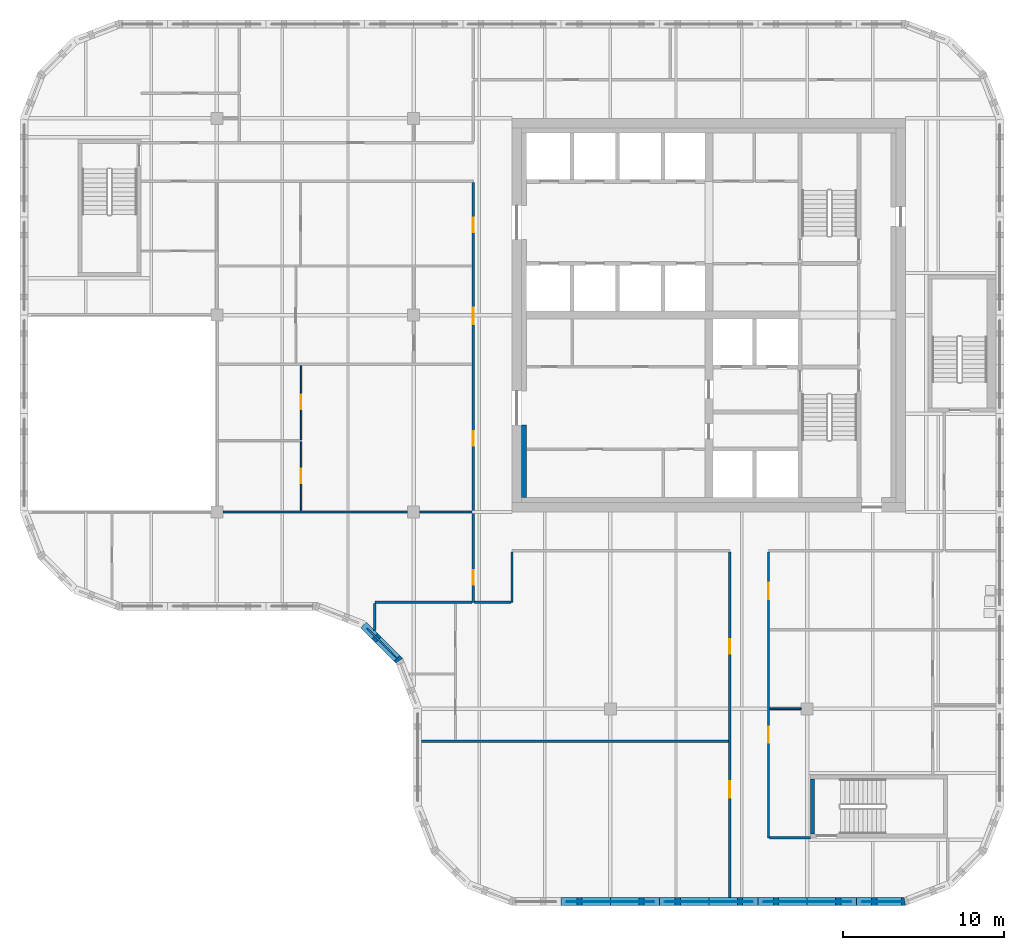
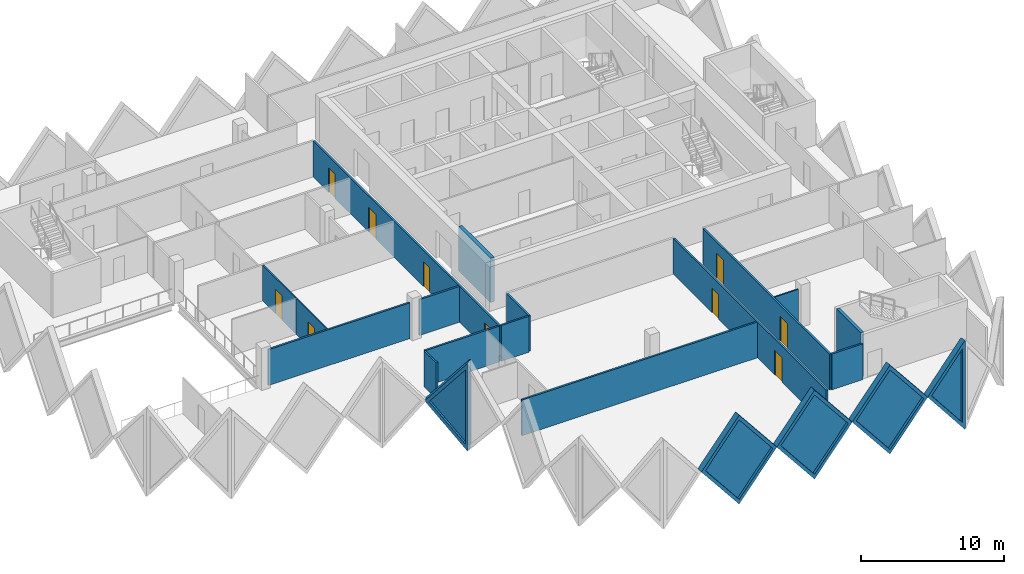
# One storey, part 4 of 12: 21 walls, 10 doors, 5 plates, 15 openings.
"""IFC4 building model written with IfcOpenShell, lengths in metres."""

from ifc_helpers import new_model, si_unit, direction, frame, frame_2d, origin, place, context, subcontext, project, spatial, polyline, rectangle, outline, extrude, faceted_brep, source, transform, mapped, material, layer, layer_set, type_object, element, fill, save


model = new_model("IFC4")

# Units and contexts
model_context = context("Model", 3, precision=1e-05, world=origin(), true_north=direction((0.0, 1.0)))
body_context = subcontext(model_context, "Body", "Model", "MODEL_VIEW")
ifc_project = project(units=[si_unit("LENGTHUNIT", "METRE"), si_unit("AREAUNIT", "SQUARE_METRE"), si_unit("VOLUMEUNIT", "CUBIC_METRE"), si_unit("PLANEANGLEUNIT", "RADIAN"), si_unit("MASSUNIT", "GRAM", prefix="KILO")], contexts=[model_context])

# Site, building, storey
site_placement = place(None, origin())
site = spatial("IfcSite", under=ifc_project, at=site_placement, CompositionType="ELEMENT")
building_placement = place(site_placement, origin())
building = spatial("IfcBuilding", under=site, at=building_placement, Name="Tessera Gate Towers", CompositionType="ELEMENT")
storey_placement = place(building_placement, frame((0.0, 0.0, 178.199951171875)))
storey = spatial("IfcBuildingStorey", under=building, at=storey_placement, Name="L44", CompositionType="ELEMENT", Elevation=178.199951171875)

# Walls
ifc_material_1 = material(Name="Concrete C40/50", Category="concrete")
ifc_layer_1 = layer(ifc_material_1, 0.25)
ifc_layer_set_1 = layer_set([ifc_layer_1], Name="CORE ENCLOSURE WALL 250")
wall_type_1 = type_object("IfcWallType", Name="CORE ENCLOSURE WALL 250", PredefinedType="SOLIDWALL", material=ifc_layer_set_1)
wall_1_placement = place(storey_placement, frame((49.125, 4.449951171875, 0.0), z_axis=(0.0, 0.0, 1.0), x_axis=(0.0, 1.0, 0.0)))
element("IfcWall", 1, at=wall_1_placement, inside=storey, type_object=wall_type_1, Name="L44 ST4 enclosure wall", PredefinedType="SOLIDWALL", context=body_context, shape_type="SweptSolid", body=[
    extrude(rectangle(XDim=3.400146484375, YDim=0.25, at=frame_2d((1.7001953125, 0.0))), origin(), (0.0, 0.0, 1.0), 3.800048828125),
])
ifc_material_2 = material(Name="Concrete C50/60", Category="concrete")
ifc_layer_2 = layer(ifc_material_2, 0.300048828125)
ifc_layer_set_2 = layer_set([ifc_layer_2], Name="CORE WALL THICKENING 300")
wall_type_2 = type_object("IfcWallType", Name="CORE WALL THICKENING 300", PredefinedType="SOLIDWALL", material=ifc_layer_set_2)
wall_2_placement = place(storey_placement, frame((31.25, 25.300048828125, 0.0), z_axis=(0.0, 0.0, 1.0), x_axis=(0.0, 1.0, 0.0)))
element("IfcWall", 2, at=wall_2_placement, inside=storey, type_object=wall_type_2, Name="Core wall thickening W L44", PredefinedType="SOLIDWALL", context=body_context, shape_type="SweptSolid", body=[
    extrude(rectangle(XDim=4.5, YDim=0.300048828125, at=frame_2d((2.25, 0.0))), origin(), (0.0, 0.0, 1.0), 3.800048828125),
])

# Wall, openings, doors
ifc_material_3 = material(Name="Gypsum board on steel studs, mineral wool", Category="steel")
ifc_layer_3 = layer(ifc_material_3, 0.14990234375)
ifc_layer_set_3 = layer_set([ifc_layer_3], Name="CORRIDOR WALL 150")
wall_type_3 = type_object("IfcWallType", Name="CORRIDOR WALL 150", PredefinedType="PARTITIONING", material=ifc_layer_set_3)
wall_3_placement = place(storey_placement, frame((44.0, 0.5, 0.0), z_axis=(0.0, 0.0, 1.0), x_axis=(0.0, 1.0, 0.0)))
wall_3 = element("IfcWall", 3, at=wall_3_placement, inside=storey, type_object=wall_type_3, Name="T1-L44-PW-001", PredefinedType="PARTITIONING", context=body_context, shape_type="SweptSolid", body=[
    extrude(rectangle(XDim=21.424072265625, YDim=0.14990234375, at=frame_2d((10.7119140625, 0.0))), origin(), (0.0, 0.0, 1.0), 3.067138671875),
])
shared_shape_1 = source(origin(), body_context, "Body", "SweptSolid", [
    extrude(rectangle(XDim=1.0, YDim=2.10009765625, at=frame_2d((0.5, 1.050048828125))), frame((0.0, 0.0849609375, 0.0), z_axis=(0.0, -1.0, 0.0), x_axis=(1.0, 0.0, 0.0)), (0.0, 0.0, 1.0), 0.169921875),
])
opening_1_placement = place(wall_3_placement, frame((6.199951171875, 0.0, 0.0)))
opening_1 = element("IfcOpeningElement", 4, at=opening_1_placement, cuts=wall_3, Name="Opening D2100FD60-A16-02", PredefinedType="OPENING", context=body_context, shape_type="MappedRepresentation", body=[
    mapped(shared_shape_1, transform((0.0, 0.0, 0.0), scale=1.0)),
])
shared_shape_2 = source(origin(), body_context, "Body", "SweptSolid", [
    extrude(rectangle(XDim=0.89990234375, YDim=2.10009765625, at=frame_2d((0.449951171875, 1.050048828125))), frame((0.0, 0.0849609375, 0.0), z_axis=(0.0, -1.0, 0.0), x_axis=(1.0, 0.0, 0.0)), (0.0, 0.0, 1.0), 0.169921875),
])
opening_2_placement = place(wall_3_placement, frame((15.10009765625, 0.0, 0.0)))
opening_2 = element("IfcOpeningElement", 5, at=opening_2_placement, cuts=wall_3, Name="Opening D890FD60-A16-06", PredefinedType="OPENING", context=body_context, shape_type="MappedRepresentation", body=[
    mapped(shared_shape_2, transform((0.0, 0.0, 0.0), scale=1.0)),
])
ifc_material_4 = material(Name="Timber door leaf in steel frame", Category="steel")
door_type_1 = type_object("IfcDoorType", Name="CORRIDOR DOOR 900 FD60", OperationType="NOTDEFINED", PredefinedType="DOOR", material=ifc_material_4)
shared_shape_3 = source(origin(), body_context, "Body", "SweptSolid", [
    extrude(rectangle(XDim=0.89990234375, YDim=2.10009765625, at=frame_2d((0.449951171875, 1.050048828125))), frame((0.0, 0.02490234375, 0.0), z_axis=(0.0, -1.0, 0.0), x_axis=(1.0, 0.0, 0.0)), (0.0, 0.0, 1.0), 0.050048828125),
])
door_1_placement = place(opening_2_placement, origin())
door_1 = element("IfcDoor", 6, at=door_1_placement, inside=storey, type_object=door_type_1, Name="T1-L44-PD-023", OperationType="SINGLE_SWING_LEFT", OverallHeight=2.10009765625, OverallWidth=0.89990234375, PredefinedType="DOOR", context=body_context, shape_type="MappedRepresentation", body=[
    mapped(shared_shape_3, transform((0.0, 0.0, 0.0), scale=1.0)),
])
fill(opening_2, door_1)
ifc_material_5 = material(Name="Timber door leaf in steel frame", Category="steel")
door_type_2 = type_object("IfcDoorType", Name="TENANCY ENTRANCE DOOR 1000 FD60", OperationType="NOTDEFINED", PredefinedType="DOOR", material=ifc_material_5)
shared_shape_4 = source(origin(), body_context, "Body", "SweptSolid", [
    extrude(rectangle(XDim=1.0, YDim=2.10009765625, at=frame_2d((0.5, 1.050048828125))), frame((0.0, 0.02490234375, 0.0), z_axis=(0.0, -1.0, 0.0), x_axis=(1.0, 0.0, 0.0)), (0.0, 0.0, 1.0), 0.050048828125),
])
door_2_placement = place(opening_1_placement, origin())
door_2 = element("IfcDoor", 7, at=door_2_placement, inside=storey, type_object=door_type_2, Name="T1-L44-PD-017", OperationType="SINGLE_SWING_LEFT", OverallHeight=2.10009765625, OverallWidth=1.0, PredefinedType="DOOR", context=body_context, shape_type="MappedRepresentation", body=[
    mapped(shared_shape_4, transform((0.0, 0.0, 0.0), scale=1.0)),
])
fill(opening_1, door_2)

wall_4_placement = place(storey_placement, frame((46.39990234375, 21.924072265625, 0.0), z_axis=(0.0, 0.0, 1.0), x_axis=(0.0, -1.0, 0.0)))
wall_4 = element("IfcWall", 8, at=wall_4_placement, inside=storey, type_object=wall_type_3, Name="T1-L44-PW-003", PredefinedType="PARTITIONING", context=body_context, shape_type="SweptSolid", body=[
    extrude(rectangle(XDim=17.72412109375, YDim=0.14990234375, at=frame_2d((8.862060546875, 0.0))), origin(), (0.0, 0.0, 1.0), 3.067138671875),
])
opening_3_placement = place(wall_4_placement, frame((1.923095703125, 0.0, 0.0)))
opening_3 = element("IfcOpeningElement", 9, at=opening_3_placement, cuts=wall_4, Name="Opening D2100FD60-A16-01", PredefinedType="OPENING", context=body_context, shape_type="MappedRepresentation", body=[
    mapped(shared_shape_1, transform((0.0, 0.0, 0.0), scale=1.0)),
])
opening_4_placement = place(wall_4_placement, frame((10.823974609375, 0.0, 0.0)))
opening_4 = element("IfcOpeningElement", 10, at=opening_4_placement, cuts=wall_4, Name="Opening D2100FD60-A16-05", PredefinedType="OPENING", context=body_context, shape_type="MappedRepresentation", body=[
    mapped(shared_shape_1, transform((0.0, 0.0, 0.0), scale=1.0)),
])
door_3_placement = place(opening_3_placement, origin())
door_3 = element("IfcDoor", 11, at=door_3_placement, inside=storey, type_object=door_type_2, Name="T1-L44-PD-010", OperationType="SINGLE_SWING_RIGHT", OverallHeight=2.10009765625, OverallWidth=1.0, PredefinedType="DOOR", context=body_context, shape_type="MappedRepresentation", body=[
    mapped(shared_shape_4, transform((0.0, 0.0, 0.0), scale=1.0)),
])
fill(opening_3, door_3)
door_4_placement = place(opening_4_placement, origin())
door_4 = element("IfcDoor", 12, at=door_4_placement, inside=storey, type_object=door_type_2, Name="T1-L44-PD-025", OperationType="SINGLE_SWING_RIGHT", OverallHeight=2.10009765625, OverallWidth=1.0, PredefinedType="DOOR", context=body_context, shape_type="MappedRepresentation", body=[
    mapped(shared_shape_4, transform((0.0, 0.0, 0.0), scale=1.0)),
])
fill(opening_4, door_4)

# Wall
wall_5_placement = place(storey_placement, frame((46.47607421875, 4.199951171875, 0.0), z_axis=(0.0, 0.0, 1.0), x_axis=(1.0, 0.0, 0.0)))
element("IfcWall", 13, at=wall_5_placement, inside=storey, type_object=wall_type_3, Name="T1-L44-PW-004", PredefinedType="PARTITIONING", context=body_context, shape_type="SweptSolid", body=[
    extrude(rectangle(XDim=2.52392578125, YDim=0.14990234375, at=frame_2d((1.261962890625, 0.0))), origin(), (0.0, 0.0, 1.0), 3.067138671875),
])

# Wall, openings, doors
wall_6_placement = place(storey_placement, frame((28.10009765625, 18.800048828125, 0.0), z_axis=(0.0, 0.0, 1.0), x_axis=(0.0, 1.0, 0.0)))
wall_6 = element("IfcWall", 14, at=wall_6_placement, inside=storey, type_object=wall_type_3, Name="T1-L44-PW-016", PredefinedType="PARTITIONING", context=body_context, shape_type="SweptSolid", body=[
    extrude(rectangle(XDim=26.02392578125, YDim=0.14990234375, at=frame_2d((13.011962890625, 0.0))), origin(), (0.0, 0.0, 1.0), 3.067138671875),
])
opening_5_placement = place(wall_6_placement, frame((1.10009765625, 0.0, 0.0)))
opening_5 = element("IfcOpeningElement", 15, at=opening_5_placement, cuts=wall_6, Name="Opening D890FD60-A16-01", PredefinedType="OPENING", context=body_context, shape_type="MappedRepresentation", body=[
    mapped(shared_shape_2, transform((0.0, 0.0, 0.0), scale=1.0)),
])
opening_6_placement = place(wall_6_placement, frame((22.950927734375, 0.0, 0.0)))
opening_6 = element("IfcOpeningElement", 16, at=opening_6_placement, cuts=wall_6, Name="Opening D890FD60-A16-03", PredefinedType="OPENING", context=body_context, shape_type="MappedRepresentation", body=[
    mapped(shared_shape_2, transform((0.0, 0.0, 0.0), scale=1.0)),
])
opening_7_placement = place(wall_6_placement, frame((17.2509765625, 0.0, 0.0)))
opening_7 = element("IfcOpeningElement", 17, at=opening_7_placement, cuts=wall_6, Name="Opening D2100FD60-A16-04", PredefinedType="OPENING", context=body_context, shape_type="MappedRepresentation", body=[
    mapped(shared_shape_1, transform((0.0, 0.0, 0.0), scale=1.0)),
])
opening_8_placement = place(wall_6_placement, frame((9.699951171875, 0.0, 0.0)))
opening_8 = element("IfcOpeningElement", 18, at=opening_8_placement, cuts=wall_6, Name="Opening D890FD60-A16-05", PredefinedType="OPENING", context=body_context, shape_type="MappedRepresentation", body=[
    mapped(shared_shape_2, transform((0.0, 0.0, 0.0), scale=1.0)),
])
door_5_placement = place(opening_5_placement, origin())
door_5 = element("IfcDoor", 19, at=door_5_placement, inside=storey, type_object=door_type_1, Name="T1-L44-PD-001", OperationType="SINGLE_SWING_LEFT", OverallHeight=2.10009765625, OverallWidth=0.89990234375, PredefinedType="DOOR", context=body_context, shape_type="MappedRepresentation", body=[
    mapped(shared_shape_3, transform((0.0, 0.0, 0.0), scale=1.0)),
])
fill(opening_5, door_5)
door_6_placement = place(opening_6_placement, origin())
door_6 = element("IfcDoor", 20, at=door_6_placement, inside=storey, type_object=door_type_1, Name="T1-L44-PD-013", OperationType="SINGLE_SWING_LEFT", OverallHeight=2.10009765625, OverallWidth=0.89990234375, PredefinedType="DOOR", context=body_context, shape_type="MappedRepresentation", body=[
    mapped(shared_shape_3, transform((0.0, 0.0, 0.0), scale=1.0)),
])
fill(opening_6, door_6)
door_7_placement = place(opening_8_placement, origin())
door_7 = element("IfcDoor", 21, at=door_7_placement, inside=storey, type_object=door_type_1, Name="T1-L44-PD-022", OperationType="SINGLE_SWING_LEFT", OverallHeight=2.10009765625, OverallWidth=0.89990234375, PredefinedType="DOOR", context=body_context, shape_type="MappedRepresentation", body=[
    mapped(shared_shape_3, transform((0.0, 0.0, 0.0), scale=1.0)),
])
fill(opening_8, door_7)
door_8_placement = place(opening_7_placement, origin())
door_8 = element("IfcDoor", 22, at=door_8_placement, inside=storey, type_object=door_type_2, Name="T1-L44-PD-019", OperationType="SINGLE_SWING_LEFT", OverallHeight=2.10009765625, OverallWidth=1.0, PredefinedType="DOOR", context=body_context, shape_type="MappedRepresentation", body=[
    mapped(shared_shape_4, transform((0.0, 0.0, 0.0), scale=1.0)),
])
fill(opening_7, door_8)

# Walls
wall_7_placement = place(storey_placement, frame((28.176025390625, 18.800048828125, 0.0), z_axis=(0.0, 0.0, 1.0), x_axis=(1.0, 0.0, 0.0)))
element("IfcWall", 23, at=wall_7_placement, inside=storey, type_object=wall_type_3, Name="T1-L44-PW-017", PredefinedType="PARTITIONING", context=body_context, shape_type="SweptSolid", body=[
    extrude(rectangle(XDim=2.248046875, YDim=0.14990234375, at=frame_2d((1.1240234375, 0.0))), origin(), (0.0, 0.0, 1.0), 3.067138671875),
])
wall_8_placement = place(storey_placement, frame((30.5, 18.800048828125, 0.0), z_axis=(0.0, 0.0, 1.0), x_axis=(0.0, 1.0, 0.0)))
element("IfcWall", 24, at=wall_8_placement, inside=storey, type_object=wall_type_3, Name="T1-L44-PW-018", PredefinedType="PARTITIONING", context=body_context, shape_type="SweptSolid", body=[
    extrude(rectangle(XDim=3.1240234375, YDim=0.14990234375, at=frame_2d((1.56201171875, 0.0))), origin(), (0.0, 0.0, 1.0), 3.067138671875),
])
ifc_material_6 = material(Name="Gypsum board on steel studs", Category="steel")
ifc_layer_4 = layer(ifc_material_6, 0.10009765625)
ifc_layer_set_4 = layer_set([ifc_layer_4], Name="PARTITION 100")
wall_type_4 = type_object("IfcWallType", Name="PARTITION 100", PredefinedType="PARTITIONING", material=ifc_layer_set_4)
wall_9_placement = place(storey_placement, frame((48.425048828125, 12.199951171875, 0.0), z_axis=(0.0, 0.0, 1.0), x_axis=(-1.0, 0.0, 0.0)))
element("IfcWall", 25, at=wall_9_placement, inside=storey, type_object=wall_type_4, Name="T1-L44-PW-008", PredefinedType="PARTITIONING", context=body_context, shape_type="SweptSolid", body=[
    extrude(rectangle(XDim=1.949951171875, YDim=0.10009765625, at=frame_2d((0.97509765625, 0.0))), origin(), (0.0, 0.0, 1.0), 3.067138671875),
])

# Wall, opening, door
wall_10_placement = place(storey_placement, frame((17.425048828125, 24.47607421875, 0.0), z_axis=(0.0, 0.0, 1.0), x_axis=(0.0, 1.0, 0.0)))
wall_10 = element("IfcWall", 26, at=wall_10_placement, inside=storey, type_object=wall_type_4, Name="T1-L44-PW-026", PredefinedType="PARTITIONING", context=body_context, shape_type="SweptSolid", body=[
    extrude(rectangle(XDim=4.293212890625, YDim=0.10009765625, at=frame_2d((2.146484375, 0.0))), origin(), (0.0, 0.0, 1.0), 3.067138671875),
])
shared_shape_5 = source(origin(), body_context, "Body", "SweptSolid", [
    extrude(rectangle(XDim=0.89990234375, YDim=2.10009765625, at=frame_2d((0.449951171875, 1.050048828125))), frame((0.0, 0.06005859375, 0.0), z_axis=(0.0, -1.0, 0.0), x_axis=(1.0, 0.0, 0.0)), (0.0, 0.0, 1.0), 0.1201171875),
])
opening_9_placement = place(wall_10_placement, frame((1.699951171875, 0.0, 0.0)))
opening_9 = element("IfcOpeningElement", 27, at=opening_9_placement, cuts=wall_10, Name="Opening D190-A16-02", PredefinedType="OPENING", context=body_context, shape_type="MappedRepresentation", body=[
    mapped(shared_shape_5, transform((0.0, 0.0, 0.0), scale=1.0)),
])
ifc_material_7 = material(Name="Timber door leaf in steel frame", Category="steel")
door_type_3 = type_object("IfcDoorType", Name="INTERNAL DOOR 900 NOT RATED", OperationType="NOTDEFINED", PredefinedType="DOOR", material=ifc_material_7)
door_9_placement = place(opening_9_placement, origin())
door_9 = element("IfcDoor", 28, at=door_9_placement, inside=storey, type_object=door_type_3, Name="T1-L44-PD-003", OperationType="SINGLE_SWING_LEFT", OverallHeight=2.10009765625, OverallWidth=0.89990234375, PredefinedType="DOOR", context=body_context, shape_type="MappedRepresentation", body=[
    mapped(shared_shape_3, transform((0.0, 0.0, 0.0), scale=1.0)),
])
fill(opening_9, door_9)

wall_11_placement = place(storey_placement, frame((17.425048828125, 28.871337890625, 0.0), z_axis=(0.0, 0.0, 1.0), x_axis=(0.0, 1.0, 0.0)))
wall_11 = element("IfcWall", 29, at=wall_11_placement, inside=storey, type_object=wall_type_4, Name="T1-L44-PW-028", PredefinedType="PARTITIONING", context=body_context, shape_type="SweptSolid", body=[
    extrude(rectangle(XDim=4.602783203125, YDim=0.10009765625, at=frame_2d((2.30126953125, 0.0))), origin(), (0.0, 0.0, 1.0), 3.067138671875),
])
opening_10_placement = place(wall_11_placement, frame((1.89990234375, 0.0, 0.0)))
opening_10 = element("IfcOpeningElement", 30, at=opening_10_placement, cuts=wall_11, Name="Opening D190-A16-06", PredefinedType="OPENING", context=body_context, shape_type="MappedRepresentation", body=[
    mapped(shared_shape_5, transform((0.0, 0.0, 0.0), scale=1.0)),
])
door_10_placement = place(opening_10_placement, origin())
door_10 = element("IfcDoor", 31, at=door_10_placement, inside=storey, type_object=door_type_3, Name="T1-L44-PD-007", OperationType="SINGLE_SWING_LEFT", OverallHeight=2.10009765625, OverallWidth=0.89990234375, PredefinedType="DOOR", context=body_context, shape_type="MappedRepresentation", body=[
    mapped(shared_shape_3, transform((0.0, 0.0, 0.0), scale=1.0)),
])
fill(opening_10, door_10)

# Walls
ifc_material_8 = material(Name="Gypsum board on steel studs, mineral wool", Category="steel")
ifc_layer_5 = layer(ifc_material_8, 0.14990234375)
ifc_layer_set_5 = layer_set([ifc_layer_5], Name="TENANCY WALL 150")
wall_type_5 = type_object("IfcWallType", Name="TENANCY WALL 150", PredefinedType="PARTITIONING", material=ifc_layer_set_5)
wall_12_placement = place(storey_placement, frame((24.89990234375, 10.199951171875, 0.0), z_axis=(0.0, 0.0, 1.0), x_axis=(1.0, 0.0, 0.0)))
element("IfcWall", 32, at=wall_12_placement, inside=storey, type_object=wall_type_5, Name="T1-L44-PW-006", PredefinedType="PARTITIONING", context=body_context, shape_type="SweptSolid", body=[
    extrude(rectangle(XDim=19.024169921875, YDim=0.14990234375, at=frame_2d((9.51220703125, 0.0))), origin(), (0.0, 0.0, 1.0), 3.067138671875),
])
wall_13_placement = place(storey_placement, frame((22.0, 17.054931640625, 0.0), z_axis=(0.0, 0.0, 1.0), x_axis=(0.0, 1.0, 0.0)))
element("IfcWall", 33, at=wall_13_placement, inside=storey, type_object=wall_type_5, Name="T1-L44-PW-011", PredefinedType="PARTITIONING", context=body_context, shape_type="SweptSolid", body=[
    extrude(rectangle(XDim=1.669189453125, YDim=0.14990234375, at=frame_2d((0.83447265625, 0.0))), origin(), (0.0, 0.0, 1.0), 3.067138671875),
])
wall_14_placement = place(storey_placement, frame((22.0, 18.800048828125, 0.0), z_axis=(0.0, 0.0, 1.0), x_axis=(1.0, 0.0, 0.0)))
element("IfcWall", 34, at=wall_14_placement, inside=storey, type_object=wall_type_5, Name="T1-L44-PW-015", PredefinedType="PARTITIONING", context=body_context, shape_type="SweptSolid", body=[
    extrude(rectangle(XDim=6.02392578125, YDim=0.14990234375, at=frame_2d((3.011962890625, 0.0))), origin(), (0.0, 0.0, 1.0), 3.067138671875),
])
wall_15_placement = place(storey_placement, frame((12.575927734375, 24.39990234375, 0.0), z_axis=(0.0, 0.0, 1.0), x_axis=(1.0, 0.0, 0.0)))
element("IfcWall", 35, at=wall_15_placement, inside=storey, type_object=wall_type_5, Name="T1-L44-PW-024", PredefinedType="PARTITIONING", context=body_context, shape_type="SweptSolid", body=[
    extrude(rectangle(XDim=11.447998046875, YDim=0.14990234375, at=frame_2d((5.72412109375, 0.0))), origin(), (0.0, 0.0, 1.0), 3.067138671875),
])
wall_16_placement = place(storey_placement, frame((24.77587890625, 24.39990234375, 0.0), z_axis=(0.0, 0.0, 1.0), x_axis=(1.0, 0.0, 0.0)))
element("IfcWall", 36, at=wall_16_placement, inside=storey, type_object=wall_type_5, Name="T1-L44-PW-025", PredefinedType="PARTITIONING", context=body_context, shape_type="SweptSolid", body=[
    extrude(rectangle(XDim=3.248046875, YDim=0.14990234375, at=frame_2d((1.6240234375, 0.0))), origin(), (0.0, 0.0, 1.0), 3.067138671875),
])

# Wall, opening, plate
ifc_material_9 = material(Name="Precast concrete C60/75 white", Category="concrete")
ifc_layer_6 = layer(ifc_material_9, 0.5)
ifc_layer_set_6 = layer_set([ifc_layer_6], Name="TS1 tessera")
wall_type_6 = type_object("IfcWallType", Name="TS1 tessera", PredefinedType="SOLIDWALL", material=ifc_layer_set_6)
shared_shape_6 = source(origin(), body_context, "Body", "Brep", [
    faceted_brep([(3.050048828125, -0.25, 0.0), (6.099853515625, -0.25, 3.7998046875), (6.099853515625, -0.25, 3.80029296875), (3.050048828125, -0.25, 7.60009765625), (0.0, -0.25, 3.800048828125), (0.0, 0.25, 3.800048828125), (3.050048828125, 0.25, 7.60009765625), (6.099853515625, 0.25, 3.80029296875), (6.099853515625, 0.25, 3.7998046875), (3.050048828125, 0.25, 0.0)], [[[0, 1, 2, 3, 4]], [[5, 6, 7, 8, 9]], [[9, 8, 1, 0]], [[7, 6, 3, 2]], [[6, 5, 4, 3]], [[5, 9, 0, 4]], [[1, 8, 7, 2]]]),
])
wall_17_placement = place(storey_placement, frame((33.550048828125, 0.25, -3.800048828125), z_axis=(0.0, 0.0, 1.0), x_axis=(1.0, 0.0, 0.0)))
wall_17 = element("IfcWall", 37, at=wall_17_placement, inside=storey, type_object=wall_type_6, Name="Precast tessera T1 TS1-0759", PredefinedType="SOLIDWALL", context=body_context, shape_type="MappedRepresentation", body=[
    mapped(shared_shape_6, transform((0.0, 0.0, 0.0), scale=1.0)),
])
shared_shape_7 = source(origin(), body_context, "Body", "SweptSolid", [
    extrude(outline(polyline([(3.050048828125, 0.3994140625), (5.779541015625, 3.800048828125), (3.050048828125, 7.20068359375), (0.320556640625, 3.800048828125), (3.050048828125, 0.3994140625)])), frame((0.0, 0.260009765625, 0.0), z_axis=(0.0, -1.0, 0.0), x_axis=(1.0, 0.0, 0.0)), (0.0, 0.0, 1.0), 0.52001953125),
])
opening_11_placement = place(wall_17_placement, origin())
opening_11 = element("IfcOpeningElement", 38, at=opening_11_placement, cuts=wall_17, Name="Opening T1-PL2-1553", PredefinedType="OPENING", context=body_context, shape_type="MappedRepresentation", body=[
    mapped(shared_shape_7, transform((0.0, 0.0, 0.0), scale=1.0)),
])
ifc_material_10 = material(Name="Low-e laminated glass", Category="glass")
ifc_layer_7 = layer(ifc_material_10, 0.06005859375)
ifc_layer_set_7 = layer_set([ifc_layer_7], Name="PL2 rhombic pane")
plate_type = type_object("IfcPlateType", Name="PL2 rhombic pane", PredefinedType="SHEET", material=ifc_layer_set_7)
shared_shape_8 = source(origin(), body_context, "Body", "SweptSolid", [
    extrude(outline(polyline([(3.050048828125, 0.3994140625), (5.779541015625, 3.800048828125), (3.050048828125, 7.20068359375), (0.320556640625, 3.800048828125), (3.050048828125, 0.3994140625)])), frame((0.0, 0.030029296875, 0.0), z_axis=(0.0, -1.0, 0.0), x_axis=(1.0, 0.0, 0.0)), (0.0, 0.0, 1.0), 0.06005859375),
])
plate_1_placement = place(opening_11_placement, origin())
plate_1 = element("IfcPlate", 39, at=plate_1_placement, inside=storey, type_object=plate_type, Name="Glass pane T1 PL2-1553", PredefinedType="SHEET", context=body_context, shape_type="MappedRepresentation", body=[
    mapped(shared_shape_8, transform((0.0, 0.0, 0.0), scale=1.0)),
])
fill(opening_11, plate_1)

shared_shape_9 = source(origin(), body_context, "Body", "SweptSolid", [
    extrude(outline(polyline([(3.050048828125, 0.0), (6.10009765625, 3.800048828125), (3.050048828125, 7.60009765625), (0.0, 3.800048828125), (3.050048828125, 0.0)])), frame((0.0, 0.25, 0.0), z_axis=(0.0, -1.0, 0.0), x_axis=(1.0, 0.0, 0.0)), (0.0, 0.0, 1.0), 0.5),
])
wall_18_placement = place(storey_placement, frame((39.64990234375, 0.25, -3.800048828125), z_axis=(0.0, 0.0, 1.0), x_axis=(1.0, 0.0, 0.0)))
wall_18 = element("IfcWall", 40, at=wall_18_placement, inside=storey, type_object=wall_type_6, Name="Precast tessera T1 TS1-0760", PredefinedType="SOLIDWALL", context=body_context, shape_type="MappedRepresentation", body=[
    mapped(shared_shape_9, transform((0.0, 0.0, 0.0), scale=1.0)),
])
opening_12_placement = place(wall_18_placement, origin())
opening_12 = element("IfcOpeningElement", 41, at=opening_12_placement, cuts=wall_18, Name="Opening T1-PL2-1554", PredefinedType="OPENING", context=body_context, shape_type="MappedRepresentation", body=[
    mapped(shared_shape_7, transform((0.0, 0.0, 0.0), scale=1.0)),
])
plate_2_placement = place(opening_12_placement, origin())
plate_2 = element("IfcPlate", 42, at=plate_2_placement, inside=storey, type_object=plate_type, Name="Glass pane T1 PL2-1554", PredefinedType="SHEET", context=body_context, shape_type="MappedRepresentation", body=[
    mapped(shared_shape_8, transform((0.0, 0.0, 0.0), scale=1.0)),
])
fill(opening_12, plate_2)

wall_19_placement = place(storey_placement, frame((45.75, 0.25, -3.800048828125), z_axis=(0.0, 0.0, 1.0), x_axis=(1.0, 0.0, 0.0)))
wall_19 = element("IfcWall", 43, at=wall_19_placement, inside=storey, type_object=wall_type_6, Name="Precast tessera T1 TS1-0761", PredefinedType="SOLIDWALL", context=body_context, shape_type="MappedRepresentation", body=[
    mapped(shared_shape_9, transform((0.0, 0.0, 0.0), scale=1.0)),
])
opening_13_placement = place(wall_19_placement, origin())
opening_13 = element("IfcOpeningElement", 44, at=opening_13_placement, cuts=wall_19, Name="Opening T1-PL2-1555", PredefinedType="OPENING", context=body_context, shape_type="MappedRepresentation", body=[
    mapped(shared_shape_7, transform((0.0, 0.0, 0.0), scale=1.0)),
])
plate_3_placement = place(opening_13_placement, origin())
plate_3 = element("IfcPlate", 45, at=plate_3_placement, inside=storey, type_object=plate_type, Name="Glass pane T1 PL2-1555", PredefinedType="SHEET", context=body_context, shape_type="MappedRepresentation", body=[
    mapped(shared_shape_8, transform((0.0, 0.0, 0.0), scale=1.0)),
])
fill(opening_13, plate_3)

ifc_material_11 = material(Name="Precast concrete C60/75 white", Category="concrete")
ifc_layer_8 = layer(ifc_material_11, 0.5)
ifc_layer_set_8 = layer_set([ifc_layer_8], Name="TS3 corner tessera")
wall_type_7 = type_object("IfcWallType", Name="TS3 corner tessera", PredefinedType="SOLIDWALL", material=ifc_layer_set_8)
shared_shape_10 = source(origin(), body_context, "Body", "Brep", [
    faceted_brep([(3.00341796875, -0.25, 0.0), (3.050048828125, -0.25, 0.06005859375), (3.050048828125, -0.25, 7.5400390625), (3.00341796875, -0.25, 7.60009765625), (0.0, -0.25, 3.800048828125), (0.0, 0.25, 3.800048828125), (2.956787109375, 0.25, 7.541259765625), (2.956787109375, 0.25, 0.058837890625), (3.00341796875, 0.000244140625, 0.0), (3.00341796875, 0.000244140625, 7.60009765625)], [[[0, 1, 2, 3, 4]], [[5, 6, 7]], [[1, 0, 8]], [[9, 3, 2]], [[6, 5, 4, 3, 9]], [[5, 7, 8, 0, 4]], [[1, 8, 7, 6, 9, 2]]]),
])
wall_20_placement = place(storey_placement, frame((51.85009765625, 0.25, -3.800048828125), z_axis=(0.0, 0.0, 1.0), x_axis=(1.0, 0.0, 0.0)))
wall_20 = element("IfcWall", 46, at=wall_20_placement, inside=storey, type_object=wall_type_7, Name="Precast corner tessera T1 TS3-1011", PredefinedType="SOLIDWALL", context=body_context, shape_type="MappedRepresentation", body=[
    mapped(shared_shape_10, transform((0.0, 0.0, 0.0), scale=1.0)),
])
shared_shape_11 = source(origin(), body_context, "Body", "SweptSolid", [
    extrude(outline(polyline([(2.803466796875, 6.94384765625), (0.318603515625, 3.800048828125), (2.803466796875, 0.65625), (2.803466796875, 6.94384765625)])), frame((0.0, 0.260009765625, 0.0), z_axis=(0.0, -1.0, 0.0), x_axis=(1.0, 0.0, 0.0)), (0.0, 0.0, 1.0), 0.52001953125),
])
opening_14_placement = place(wall_20_placement, origin())
opening_14 = element("IfcOpeningElement", 47, at=opening_14_placement, cuts=wall_20, Name="Opening T1-PL2-1556", PredefinedType="OPENING", context=body_context, shape_type="MappedRepresentation", body=[
    mapped(shared_shape_11, transform((0.0, 0.0, 0.0), scale=1.0)),
])
shared_shape_12 = source(origin(), body_context, "Body", "SweptSolid", [
    extrude(outline(polyline([(2.803466796875, 6.94384765625), (0.318603515625, 3.800048828125), (2.803466796875, 0.65625), (2.803466796875, 6.94384765625)])), frame((0.0, 0.030029296875, 0.0), z_axis=(0.0, -1.0, 0.0), x_axis=(1.0, 0.0, 0.0)), (0.0, 0.0, 1.0), 0.06005859375),
])
plate_4_placement = place(opening_14_placement, origin())
plate_4 = element("IfcPlate", 48, at=plate_4_placement, inside=storey, type_object=plate_type, Name="Glass pane T1 PL2-1556", PredefinedType="SHEET", context=body_context, shape_type="MappedRepresentation", body=[
    mapped(shared_shape_12, transform((0.0, 0.0, 0.0), scale=1.0)),
])
fill(opening_14, plate_4)

shared_shape_13 = source(origin(), body_context, "Body", "Brep", [
    faceted_brep([(3.10302734375, -0.25, 7.536376953125), (0.052978515625, -0.25, 3.86376953125), (0.052978515625, -0.25, 3.736328125), (3.10302734375, -0.25, 0.063720703125), (0.0, 0.25, 3.800048828125), (3.15576171875, 0.25, 7.60009765625), (3.208740234375, 0.25, 7.5361328125), (3.208740234375, 0.25, 0.06396484375), (3.15576171875, 0.25, 0.0), (3.15576171875, -0.00048828125, 0.0), (3.15576171875, -0.00048828125, 7.60009765625), (0.0, 0.0, 3.800048828125)], [[[0, 1, 2, 3]], [[4, 5, 6, 7, 8]], [[8, 7, 9]], [[6, 5, 10]], [[5, 4, 11, 1, 0, 10]], [[4, 8, 9, 3, 2, 11]], [[11, 2, 1]], [[3, 9, 7, 6, 10, 0]]]),
])
wall_21_placement = place(storey_placement, frame((21.284912109375, 17.41650390625, -3.800048828125), z_axis=(0.0, 0.0, 1.0), x_axis=(0.707106781187, -0.707106781187, 0.0)))
wall_21 = element("IfcWall", 49, at=wall_21_placement, inside=storey, type_object=wall_type_7, Name="Precast corner tessera T1 TS3-1029", PredefinedType="SOLIDWALL", context=body_context, shape_type="MappedRepresentation", body=[
    mapped(shared_shape_13, transform((0.0, 0.0, 0.0), scale=1.0)),
])
shared_shape_14 = source(origin(), body_context, "Body", "SweptSolid", [
    extrude(outline(polyline([(2.955810546875, 6.968017578125), (0.324951171875, 3.800048828125), (2.955810546875, 0.63232421875), (2.955810546875, 6.968017578125)])), frame((0.0, 0.260009765625, 0.0), z_axis=(0.0, -1.0, 0.0), x_axis=(1.0, 0.0, 0.0)), (0.0, 0.0, 1.0), 0.52001953125),
])
opening_15_placement = place(wall_21_placement, origin())
opening_15 = element("IfcOpeningElement", 50, at=opening_15_placement, cuts=wall_21, Name="Opening T1-PL2-1593", PredefinedType="OPENING", context=body_context, shape_type="MappedRepresentation", body=[
    mapped(shared_shape_14, transform((0.0, 0.0, 0.0), scale=1.0)),
])
shared_shape_15 = source(origin(), body_context, "Body", "SweptSolid", [
    extrude(outline(polyline([(2.955810546875, 6.968017578125), (0.324951171875, 3.800048828125), (2.955810546875, 0.63232421875), (2.955810546875, 6.968017578125)])), frame((0.0, 0.030029296875, 0.0), z_axis=(0.0, -1.0, 0.0), x_axis=(1.0, 0.0, 0.0)), (0.0, 0.0, 1.0), 0.06005859375),
])
plate_5_placement = place(opening_15_placement, origin())
plate_5 = element("IfcPlate", 51, at=plate_5_placement, inside=storey, type_object=plate_type, Name="Glass pane T1 PL2-1593", PredefinedType="SHEET", context=body_context, shape_type="MappedRepresentation", body=[
    mapped(shared_shape_15, transform((0.0, 0.0, 0.0), scale=1.0)),
])
fill(opening_15, plate_5)

save(model, "model.ifc")
